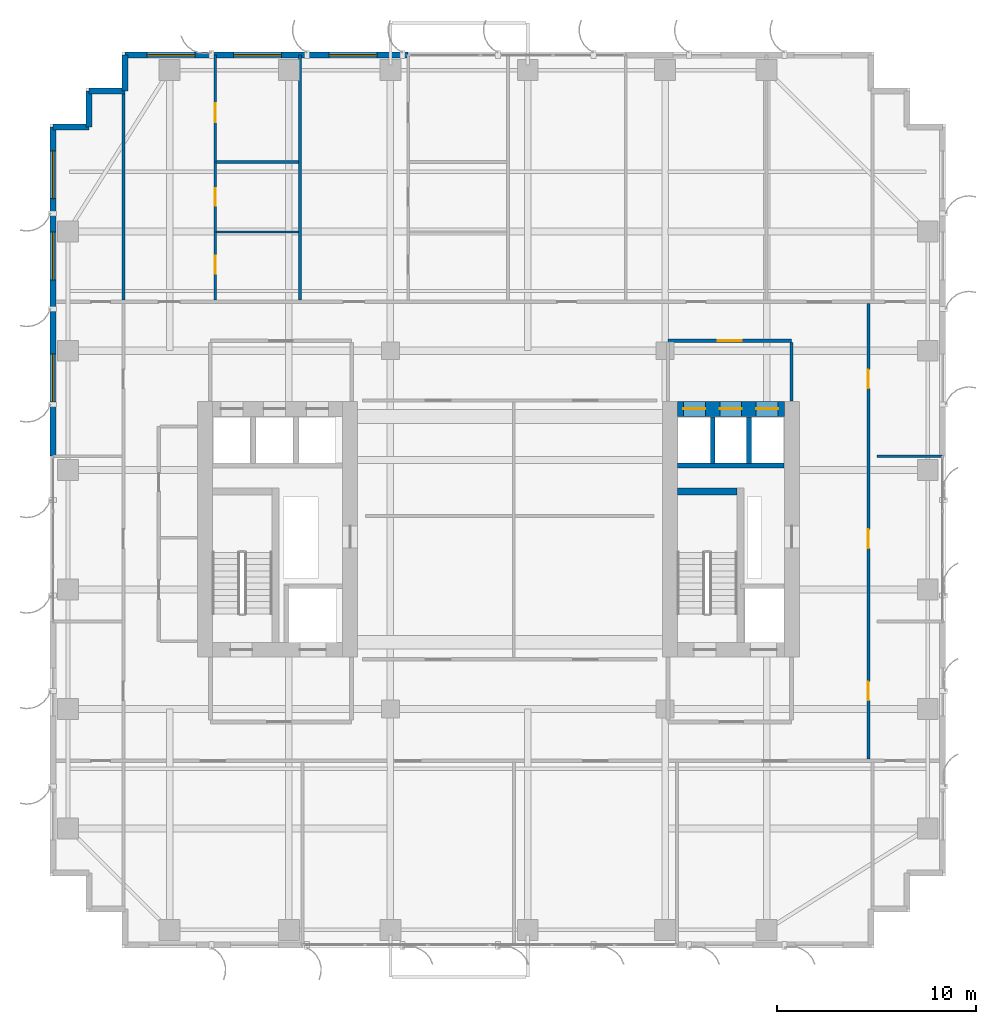
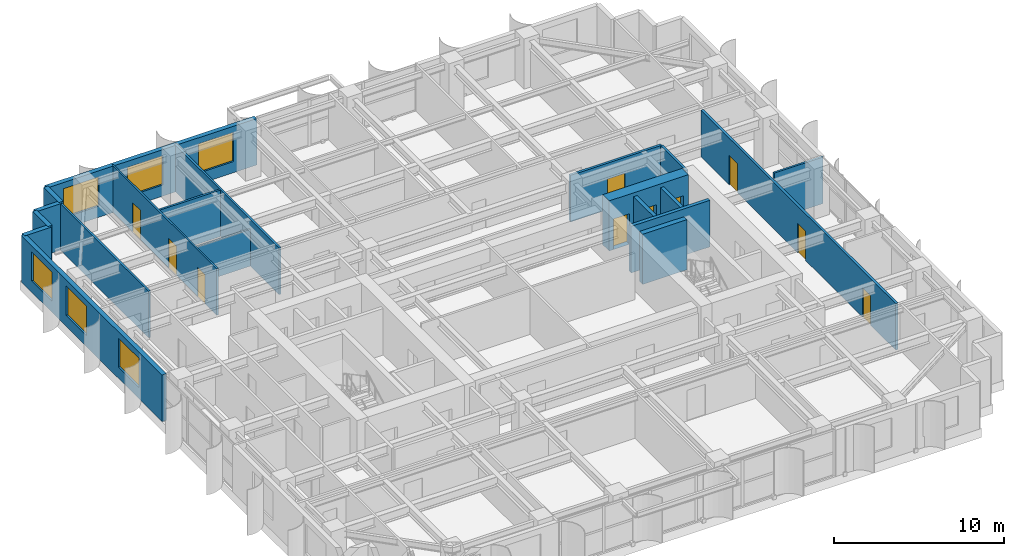
# One storey, part 19 of 23: 20 walls, 10 doors, 6 windows, 16 openings.
"""IFC4 building model written with IfcOpenShell, lengths in metres."""

from ifc_helpers import new_model, si_unit, direction, frame, frame_2d, origin, place, context, subcontext, project, spatial, rectangle, extrude, source, transform, mapped, material, layer, layer_set, type_object, element, fill, save


model = new_model("IFC4")

# Units and contexts
model_context = context("Model", 3, precision=1e-05, world=origin(), true_north=direction((0.0, 1.0)))
body_context = subcontext(model_context, "Body", "Model", "MODEL_VIEW")
ifc_project = project(units=[si_unit("LENGTHUNIT", "METRE"), si_unit("AREAUNIT", "SQUARE_METRE"), si_unit("VOLUMEUNIT", "CUBIC_METRE"), si_unit("PLANEANGLEUNIT", "RADIAN"), si_unit("MASSUNIT", "GRAM", prefix="KILO")], contexts=[model_context])

# Site, building, storey
site_placement = place(None, origin())
site = spatial("IfcSite", under=ifc_project, at=site_placement, CompositionType="ELEMENT")
building_placement = place(site_placement, origin())
building = spatial("IfcBuilding", under=site, at=building_placement, Name="Khoralis Quay Care Tower", CompositionType="ELEMENT")
storey_placement = place(building_placement, frame((0.0, 0.0, 83.699951171875)))
storey = spatial("IfcBuildingStorey", under=building, at=storey_placement, Name="L21", CompositionType="ELEMENT", Elevation=83.699951171875)

# Wall, openings, doors
ifc_material_1 = material(Name="Concrete C80/95", Category="concrete")
ifc_layer_1 = layer(ifc_material_1, 0.75)
ifc_layer_set_1 = layer_set([ifc_layer_1], Name="Concrete C80/95")
wall_type_1 = type_object("IfcWallType", Name="WL-CORE-750", PredefinedType="SHEAR", material=ifc_layer_set_1)
wall_1_placement = place(storey_placement, frame((31.52001953125, 27.074951171875, 0.0), z_axis=(0.0, 0.0, 1.0), x_axis=(1.0, 0.0, 0.0)))
wall_1 = element("IfcWall", 1, at=wall_1_placement, inside=storey, type_object=wall_type_1, Name="L21 ECORE North Shear Wall", PredefinedType="SHEAR", context=body_context, shape_type="SweptSolid", body=[
    extrude(rectangle(XDim=5.3798828125, YDim=0.75, at=frame_2d((2.68994140625, 0.0))), origin(), (0.0, 0.0, 1.0), 3.60009765625),
])
opening_1_placement = place(wall_1_placement, frame((0.300048828125, 0.0, 0.0)))
opening_1 = element("IfcOpeningElement", 2, at=opening_1_placement, cuts=wall_1, Name="Opening LD1", PredefinedType="OPENING", context=body_context, shape_type="SweptSolid", body=[
    extrude(rectangle(XDim=1.10009765625, YDim=2.199951171875, at=frame_2d((0.550048828125, 1.10009765625))), frame((0.0, 0.385009765625, 0.0), z_axis=(0.0, -1.0, 0.0), x_axis=(1.0, 0.0, 0.0)), (0.0, 0.0, 1.0), 0.77001953125),
])
opening_2_placement = place(wall_1_placement, frame((2.1298828125, 0.0, 0.0)))
opening_2 = element("IfcOpeningElement", 3, at=opening_2_placement, cuts=wall_1, Name="Opening LD1", PredefinedType="OPENING", context=body_context, shape_type="SweptSolid", body=[
    extrude(rectangle(XDim=1.10009765625, YDim=2.199951171875, at=frame_2d((0.550048828125, 1.10009765625))), frame((0.0, 0.385009765625, 0.0), z_axis=(0.0, -1.0, 0.0), x_axis=(1.0, 0.0, 0.0)), (0.0, 0.0, 1.0), 0.77001953125),
])
opening_3_placement = place(wall_1_placement, frame((3.9599609375, 0.0, 0.0)))
opening_3 = element("IfcOpeningElement", 4, at=opening_3_placement, cuts=wall_1, Name="Opening LD1", PredefinedType="OPENING", context=body_context, shape_type="SweptSolid", body=[
    extrude(rectangle(XDim=1.10009765625, YDim=2.199951171875, at=frame_2d((0.550048828125, 1.10009765625))), frame((0.0, 0.385009765625, 0.0), z_axis=(0.0, -1.0, 0.0), x_axis=(1.0, 0.0, 0.0)), (0.0, 0.0, 1.0), 0.77001953125),
])
ifc_material_2 = material(Name="Brushed stainless steel", Category="steel")
door_type_1 = type_object("IfcDoorType", Name="DR-LIFT-1100X2200", OperationType="SLIDING_TO_LEFT", PredefinedType="DOOR", material=ifc_material_2)
shared_shape_1 = source(origin(), body_context, "Body", "SweptSolid", [
    extrude(rectangle(XDim=1.10009765625, YDim=2.199951171875, at=frame_2d((0.550048828125, 1.10009765625))), frame((0.0, 0.02490234375, 0.0), z_axis=(0.0, -1.0, 0.0), x_axis=(1.0, 0.0, 0.0)), (0.0, 0.0, 1.0), 0.050048828125),
])
door_1_placement = place(opening_1_placement, origin())
door_1 = element("IfcDoor", 5, at=door_1_placement, inside=storey, type_object=door_type_1, Name="L21 Lift PLL2 Landing Door", OperationType="SLIDING_TO_LEFT", OverallHeight=2.199951171875, OverallWidth=1.10009765625, PredefinedType="DOOR", context=body_context, shape_type="MappedRepresentation", body=[
    mapped(shared_shape_1, transform((0.0, 0.0, 0.0), scale=1.0)),
])
fill(opening_1, door_1)
door_2_placement = place(opening_2_placement, origin())
door_2 = element("IfcDoor", 6, at=door_2_placement, inside=storey, type_object=door_type_1, Name="L21 Lift PLM2 Landing Door", OperationType="SLIDING_TO_LEFT", OverallHeight=2.199951171875, OverallWidth=1.10009765625, PredefinedType="DOOR", context=body_context, shape_type="MappedRepresentation", body=[
    mapped(shared_shape_1, transform((0.0, 0.0, 0.0), scale=1.0)),
])
fill(opening_2, door_2)
door_3_placement = place(opening_3_placement, origin())
door_3 = element("IfcDoor", 7, at=door_3_placement, inside=storey, type_object=door_type_1, Name="L21 Lift PLH2 Landing Door", OperationType="SLIDING_TO_LEFT", OverallHeight=2.199951171875, OverallWidth=1.10009765625, PredefinedType="DOOR", context=body_context, shape_type="MappedRepresentation", body=[
    mapped(shared_shape_1, transform((0.0, 0.0, 0.0), scale=1.0)),
])
fill(opening_3, door_3)

# Wall, opening, door
ifc_material_3 = material(Name="Gypsum plasterboard on acoustic metal stud")
ifc_layer_2 = layer(ifc_material_3, 0.1650390625)
ifc_layer_set_2 = layer_set([ifc_layer_2], Name="Gypsum plasterboard on acoustic metal stud")
wall_type_2 = type_object("IfcWallType", Name="WL-CORR-165", PredefinedType="PARTITIONING", material=ifc_layer_set_2)
wall_2_placement = place(storey_placement, frame((31.050048828125, 30.5, 0.0), z_axis=(0.0, 0.0, 1.0), x_axis=(1.0, 0.0, 0.0)))
wall_2 = element("IfcWall", 8, at=wall_2_placement, inside=storey, type_object=wall_type_2, Name="L21 East Lift Lobby North Wall", PredefinedType="PARTITIONING", context=body_context, shape_type="SweptSolid", body=[
    extrude(rectangle(XDim=6.199951171875, YDim=0.1650390625, at=frame_2d((3.10009765625, 0.0))), origin(), (0.0, 0.0, 1.0), 3.340087890625),
])
opening_4_placement = place(wall_2_placement, frame((2.5, 0.0, 0.0)))
opening_4 = element("IfcOpeningElement", 9, at=opening_4_placement, cuts=wall_2, Name="Opening FD1", PredefinedType="OPENING", context=body_context, shape_type="SweptSolid", body=[
    extrude(rectangle(XDim=1.199951171875, YDim=2.199951171875, at=frame_2d((0.60009765625, 1.10009765625))), frame((0.0, 0.092529296875, 0.0), z_axis=(0.0, -1.0, 0.0), x_axis=(1.0, 0.0, 0.0)), (0.0, 0.0, 1.0), 0.18505859375),
])
ifc_material_4 = material(Name="Fire-rated painted steel", Category="steel")
door_type_2 = type_object("IfcDoorType", Name="DR-FFL-1200X2200", OperationType="NOTDEFINED", PredefinedType="DOOR", material=ifc_material_4)
shared_shape_2 = source(origin(), body_context, "Body", "SweptSolid", [
    extrude(rectangle(XDim=1.199951171875, YDim=2.199951171875, at=frame_2d((0.60009765625, 1.10009765625))), frame((0.0, 0.02490234375, 0.0), z_axis=(0.0, -1.0, 0.0), x_axis=(1.0, 0.0, 0.0)), (0.0, 0.0, 1.0), 0.050048828125),
])
door_4_placement = place(opening_4_placement, origin())
door_4 = element("IfcDoor", 10, at=door_4_placement, inside=storey, type_object=door_type_2, Name="L21 East Lift Lobby Double Door", OperationType="DOUBLE_DOOR_SINGLE_SWING", OverallHeight=2.199951171875, OverallWidth=1.199951171875, PredefinedType="DOOR", context=body_context, shape_type="MappedRepresentation", body=[
    mapped(shared_shape_2, transform((0.0, 0.0, 0.0), scale=1.0)),
])
fill(opening_4, door_4)

# Wall
wall_3_placement = place(storey_placement, frame((37.25, 27.469970703125, 0.0), z_axis=(0.0, 0.0, 1.0), x_axis=(0.0, 1.0, 0.0)))
element("IfcWall", 11, at=wall_3_placement, inside=storey, type_object=wall_type_2, Name="L21 East Lift Lobby East Wall", PredefinedType="PARTITIONING", context=body_context, shape_type="SweptSolid", body=[
    extrude(rectangle(XDim=2.95263671875, YDim=0.1650390625, at=frame_2d((1.476318359375, 0.0))), origin(), (0.0, 0.0, 1.0), 3.340087890625),
])

# Wall, openings, doors
wall_4_placement = place(storey_placement, frame((41.1201171875, 9.4775390625, 0.0), z_axis=(0.0, 0.0, 1.0), x_axis=(0.0, 1.0, 0.0)))
wall_4 = element("IfcWall", 12, at=wall_4_placement, inside=storey, type_object=wall_type_2, Name="L21 East Loop Corridor Wall", PredefinedType="PARTITIONING", context=body_context, shape_type="SweptSolid", body=[
    extrude(rectangle(XDim=22.905029296875, YDim=0.1650390625, at=frame_2d((11.45263671875, 0.0))), origin(), (0.0, 0.0, 1.0), 3.340087890625),
])
opening_5_placement = place(wall_4_placement, frame((2.947509765625, 0.0, 0.0)))
opening_5 = element("IfcOpeningElement", 13, at=opening_5_placement, cuts=wall_4, Name="Opening ID1", PredefinedType="OPENING", context=body_context, shape_type="SweptSolid", body=[
    extrude(rectangle(XDim=0.949951171875, YDim=2.10009765625, at=frame_2d((0.47509765625, 1.050048828125))), frame((0.0, 0.092529296875, 0.0), z_axis=(0.0, -1.0, 0.0), x_axis=(1.0, 0.0, 0.0)), (0.0, 0.0, 1.0), 0.18505859375),
])
opening_6_placement = place(wall_4_placement, frame((10.597412109375, 0.0, 0.0)))
opening_6 = element("IfcOpeningElement", 14, at=opening_6_placement, cuts=wall_4, Name="Opening ID1", PredefinedType="OPENING", context=body_context, shape_type="SweptSolid", body=[
    extrude(rectangle(XDim=0.949951171875, YDim=2.10009765625, at=frame_2d((0.47509765625, 1.050048828125))), frame((0.0, 0.092529296875, 0.0), z_axis=(0.0, -1.0, 0.0), x_axis=(1.0, 0.0, 0.0)), (0.0, 0.0, 1.0), 0.18505859375),
])
opening_7_placement = place(wall_4_placement, frame((18.62744140625, 0.0, 0.0)))
opening_7 = element("IfcOpeningElement", 15, at=opening_7_placement, cuts=wall_4, Name="Opening ID1", PredefinedType="OPENING", context=body_context, shape_type="SweptSolid", body=[
    extrude(rectangle(XDim=0.949951171875, YDim=2.10009765625, at=frame_2d((0.47509765625, 1.050048828125))), frame((0.0, 0.092529296875, 0.0), z_axis=(0.0, -1.0, 0.0), x_axis=(1.0, 0.0, 0.0)), (0.0, 0.0, 1.0), 0.18505859375),
])
ifc_material_5 = material(Name="Acoustic hardwood timber", Category="wood")
door_type_3 = type_object("IfcDoorType", Name="DR-ROOM-950X2100", OperationType="NOTDEFINED", PredefinedType="DOOR", material=ifc_material_5)
shared_shape_3 = source(origin(), body_context, "Body", "SweptSolid", [
    extrude(rectangle(XDim=0.949951171875, YDim=2.10009765625, at=frame_2d((0.47509765625, 1.050048828125))), frame((0.0, 0.02490234375, 0.0), z_axis=(0.0, -1.0, 0.0), x_axis=(1.0, 0.0, 0.0)), (0.0, 0.0, 1.0), 0.050048828125),
])
door_5_placement = place(opening_5_placement, frame((0.949951171875, 0.0, 0.0), z_axis=(0.0, 0.0, 1.0), x_axis=(-1.0, 0.0, 0.0)))
door_5 = element("IfcDoor", 16, at=door_5_placement, inside=storey, type_object=door_type_3, Name="L21 Therapy Consultation Room Door", OperationType="SINGLE_SWING_LEFT", OverallHeight=2.10009765625, OverallWidth=0.949951171875, PredefinedType="DOOR", context=body_context, shape_type="MappedRepresentation", body=[
    mapped(shared_shape_3, transform((0.0, 0.0, 0.0), scale=1.0)),
])
fill(opening_5, door_5)
door_6_placement = place(opening_6_placement, frame((0.949951171875, 0.0, 0.0), z_axis=(0.0, 0.0, 1.0), x_axis=(-1.0, 0.0, 0.0)))
door_6 = element("IfcDoor", 17, at=door_6_placement, inside=storey, type_object=door_type_3, Name="L21 Assisted Activity Lounge Door", OperationType="SINGLE_SWING_RIGHT", OverallHeight=2.10009765625, OverallWidth=0.949951171875, PredefinedType="DOOR", context=body_context, shape_type="MappedRepresentation", body=[
    mapped(shared_shape_3, transform((0.0, 0.0, 0.0), scale=1.0)),
])
fill(opening_6, door_6)
door_7_placement = place(opening_7_placement, frame((0.949951171875, 0.0, 0.0), z_axis=(0.0, 0.0, 1.0), x_axis=(-1.0, 0.0, 0.0)))
door_7 = element("IfcDoor", 18, at=door_7_placement, inside=storey, type_object=door_type_3, Name="L21 Nurse Charting Office Door", OperationType="SINGLE_SWING_LEFT", OverallHeight=2.10009765625, OverallWidth=0.949951171875, PredefinedType="DOOR", context=body_context, shape_type="MappedRepresentation", body=[
    mapped(shared_shape_3, transform((0.0, 0.0, 0.0), scale=1.0)),
])
fill(opening_7, door_7)

# Wall, openings, windows
ifc_material_6 = material(Name="Precast concrete C45/55", Category="concrete")
ifc_layer_3 = layer(ifc_material_6, 0.300048828125)
ifc_layer_set_3 = layer_set([ifc_layer_3], Name="Precast concrete C45/55")
wall_type_3 = type_object("IfcWallType", Name="WL-EXT-REF-300", PredefinedType="SOLIDWALL", material=ifc_layer_set_3)
wall_5_placement = place(storey_placement, frame((17.989013671875, 44.85009765625, 0.0), z_axis=(0.0, 0.0, 1.0), x_axis=(-1.0, 0.0, 0.0)))
wall_5 = element("IfcWall", 19, at=wall_5_placement, inside=storey, type_object=wall_type_3, Name="L21 External Facade Wall WL-EXT-L21-P1-E10B", PredefinedType="SOLIDWALL", context=body_context, shape_type="SweptSolid", body=[
    extrude(rectangle(XDim=14.239013671875, YDim=0.300048828125, at=frame_2d((7.11962890625, 0.0))), origin(), (0.0, 0.0, 1.0), 3.340087890625),
])
opening_8_placement = place(wall_5_placement, frame((1.569580078125, 0.0, 0.800048828125)))
opening_8 = element("IfcOpeningElement", 20, at=opening_8_placement, cuts=wall_5, Name="Opening W1", PredefinedType="OPENING", context=body_context, shape_type="SweptSolid", body=[
    extrude(rectangle(XDim=2.39990234375, YDim=2.10009765625, at=frame_2d((1.199951171875, 1.050048828125))), frame((0.0, 0.16015625, 0.0), z_axis=(0.0, -1.0, 0.0), x_axis=(1.0, 0.0, 0.0)), (0.0, 0.0, 1.0), 0.320068359375),
])
opening_9_placement = place(wall_5_placement, frame((6.367919921875, 0.0, 0.800048828125)))
opening_9 = element("IfcOpeningElement", 21, at=opening_9_placement, cuts=wall_5, Name="Opening W1", PredefinedType="OPENING", context=body_context, shape_type="SweptSolid", body=[
    extrude(rectangle(XDim=2.39990234375, YDim=2.10009765625, at=frame_2d((1.199951171875, 1.050048828125))), frame((0.0, 0.16015625, 0.0), z_axis=(0.0, -1.0, 0.0), x_axis=(1.0, 0.0, 0.0)), (0.0, 0.0, 1.0), 0.320068359375),
])
opening_10_placement = place(wall_5_placement, frame((10.718017578125, 0.0, 0.800048828125)))
opening_10 = element("IfcOpeningElement", 22, at=opening_10_placement, cuts=wall_5, Name="Opening W1", PredefinedType="OPENING", context=body_context, shape_type="SweptSolid", body=[
    extrude(rectangle(XDim=2.39990234375, YDim=2.10009765625, at=frame_2d((1.199951171875, 1.050048828125))), frame((0.0, 0.16015625, 0.0), z_axis=(0.0, -1.0, 0.0), x_axis=(1.0, 0.0, 0.0)), (0.0, 0.0, 1.0), 0.320068359375),
])
ifc_material_7 = material(Name="Low-E solar-control double glazing", Category="glass")
window_type = type_object("IfcWindowType", Name="WN-POD-2400X2100", PartitioningType="SINGLE_PANEL", PredefinedType="WINDOW", material=ifc_material_7)
shared_shape_4 = source(origin(), body_context, "Body", "SweptSolid", [
    extrude(rectangle(XDim=2.39990234375, YDim=2.10009765625, at=frame_2d((1.199951171875, 1.050048828125))), frame((0.0, 0.030029296875, 0.0), z_axis=(0.0, -1.0, 0.0), x_axis=(1.0, 0.0, 0.0)), (0.0, 0.0, 1.0), 0.06005859375),
])
window_1_placement = place(opening_8_placement, origin())
window_1 = element("IfcWindow", 23, at=window_1_placement, inside=storey, type_object=window_type, Name="WN-L21-P1-E10B Facade Window 01", OverallHeight=2.10009765625, OverallWidth=2.39990234375, PartitioningType="SINGLE_PANEL", PredefinedType="WINDOW", context=body_context, shape_type="MappedRepresentation", body=[
    mapped(shared_shape_4, transform((0.0, 0.0, 0.0), scale=1.0)),
])
fill(opening_8, window_1)
window_2_placement = place(opening_9_placement, origin())
window_2 = element("IfcWindow", 24, at=window_2_placement, inside=storey, type_object=window_type, Name="WN-L21-P1-E10B Facade Window 02", OverallHeight=2.10009765625, OverallWidth=2.39990234375, PartitioningType="SINGLE_PANEL", PredefinedType="WINDOW", context=body_context, shape_type="MappedRepresentation", body=[
    mapped(shared_shape_4, transform((0.0, 0.0, 0.0), scale=1.0)),
])
fill(opening_9, window_2)
window_3_placement = place(opening_10_placement, origin())
window_3 = element("IfcWindow", 25, at=window_3_placement, inside=storey, type_object=window_type, Name="WN-L21-P1-E10B Facade Window 03", OverallHeight=2.10009765625, OverallWidth=2.39990234375, PartitioningType="SINGLE_PANEL", PredefinedType="WINDOW", context=body_context, shape_type="MappedRepresentation", body=[
    mapped(shared_shape_4, transform((0.0, 0.0, 0.0), scale=1.0)),
])
fill(opening_10, window_3)

# Walls
for number, where, z_axis, x_axis, name in (
    (26, (3.75, 44.85009765625, 0.0), (0.0, 0.0, 1.0), (0.0, -1.0, 0.0), "L21 External Facade Wall WL-EXT-L21-P1-C11"),
    (27, (3.75, 43.050048828125, 0.0), (0.0, 0.0, 1.0), (-1.0, 0.0, 0.0), "L21 External Facade Wall WL-EXT-L21-P1-C12"),
    (28, (1.949951171875, 43.050048828125, 0.0), (0.0, 0.0, 1.0), (0.0, -1.0, 0.0), "L21 External Facade Wall WL-EXT-L21-P1-C13"),
    (29, (1.949951171875, 41.25, 0.0), (0.0, 0.0, 1.0), (-1.0, 0.0, 0.0), "L21 External Facade Wall WL-EXT-L21-P1-C14"),
):
    element("IfcWall", number, at=place(storey_placement, frame(where, z_axis=z_axis, x_axis=x_axis)), inside=storey, type_object=wall_type_3, Name=name, PredefinedType="SOLIDWALL", context=body_context, shape_type="SweptSolid", body=[
        extrude(rectangle(XDim=1.800048828125, YDim=0.300048828125, at=frame_2d((0.89990234375, 0.0))), origin(), (0.0, 0.0, 1.0), 3.340087890625),
    ])

# Wall, openings, windows
wall_6_placement = place(storey_placement, frame((0.14990234375, 41.25, 0.0), z_axis=(0.0, 0.0, 1.0), x_axis=(0.0, -1.0, 0.0)))
wall_6 = element("IfcWall", 30, at=wall_6_placement, inside=storey, type_object=wall_type_3, Name="L21 External Facade Wall WL-EXT-L21-P1-E15A", PredefinedType="SOLIDWALL", context=body_context, shape_type="SweptSolid", body=[
    extrude(rectangle(XDim=16.550048828125, YDim=0.300048828125, at=frame_2d((8.27490234375, 0.0))), origin(), (0.0, 0.0, 1.0), 3.340087890625),
])
opening_11_placement = place(wall_6_placement, frame((1.202392578125, 0.0, 0.800048828125)))
opening_11 = element("IfcOpeningElement", 31, at=opening_11_placement, cuts=wall_6, Name="Opening W1", PredefinedType="OPENING", context=body_context, shape_type="SweptSolid", body=[
    extrude(rectangle(XDim=2.39990234375, YDim=2.10009765625, at=frame_2d((1.199951171875, 1.050048828125))), frame((0.0, 0.16015625, 0.0), z_axis=(0.0, -1.0, 0.0), x_axis=(1.0, 0.0, 0.0)), (0.0, 0.0, 1.0), 0.320068359375),
])
opening_12_placement = place(wall_6_placement, frame((5.28759765625, 0.0, 0.800048828125)))
opening_12 = element("IfcOpeningElement", 32, at=opening_12_placement, cuts=wall_6, Name="Opening W1", PredefinedType="OPENING", context=body_context, shape_type="SweptSolid", body=[
    extrude(rectangle(XDim=2.39990234375, YDim=2.10009765625, at=frame_2d((1.199951171875, 1.050048828125))), frame((0.0, 0.16015625, 0.0), z_axis=(0.0, -1.0, 0.0), x_axis=(1.0, 0.0, 0.0)), (0.0, 0.0, 1.0), 0.320068359375),
])
opening_13_placement = place(wall_6_placement, frame((11.419921875, 0.0, 0.800048828125)))
opening_13 = element("IfcOpeningElement", 33, at=opening_13_placement, cuts=wall_6, Name="Opening W1", PredefinedType="OPENING", context=body_context, shape_type="SweptSolid", body=[
    extrude(rectangle(XDim=2.39990234375, YDim=2.10009765625, at=frame_2d((1.199951171875, 1.050048828125))), frame((0.0, 0.16015625, 0.0), z_axis=(0.0, -1.0, 0.0), x_axis=(1.0, 0.0, 0.0)), (0.0, 0.0, 1.0), 0.320068359375),
])
window_4_placement = place(opening_11_placement, origin())
window_4 = element("IfcWindow", 34, at=window_4_placement, inside=storey, type_object=window_type, Name="WN-L21-P1-E15A Facade Window 01", OverallHeight=2.10009765625, OverallWidth=2.39990234375, PartitioningType="SINGLE_PANEL", PredefinedType="WINDOW", context=body_context, shape_type="MappedRepresentation", body=[
    mapped(shared_shape_4, transform((0.0, 0.0, 0.0), scale=1.0)),
])
fill(opening_11, window_4)
window_5_placement = place(opening_12_placement, origin())
window_5 = element("IfcWindow", 35, at=window_5_placement, inside=storey, type_object=window_type, Name="WN-L21-P1-E15A Facade Window 02", OverallHeight=2.10009765625, OverallWidth=2.39990234375, PartitioningType="SINGLE_PANEL", PredefinedType="WINDOW", context=body_context, shape_type="MappedRepresentation", body=[
    mapped(shared_shape_4, transform((0.0, 0.0, 0.0), scale=1.0)),
])
fill(opening_12, window_5)
window_6_placement = place(opening_13_placement, origin())
window_6 = element("IfcWindow", 36, at=window_6_placement, inside=storey, type_object=window_type, Name="WN-L21-P1-E15A Facade Window 03", OverallHeight=2.10009765625, OverallWidth=2.39990234375, PartitioningType="SINGLE_PANEL", PredefinedType="WINDOW", context=body_context, shape_type="MappedRepresentation", body=[
    mapped(shared_shape_4, transform((0.0, 0.0, 0.0), scale=1.0)),
])
fill(opening_13, window_6)

# Wall, openings, doors
ifc_layer_4 = layer(ifc_material_3, 0.114990234375)
ifc_layer_set_4 = layer_set([ifc_layer_4], Name="Gypsum plasterboard on acoustic metal stud")
wall_type_4 = type_object("IfcWallType", Name="WL-PART-115", PredefinedType="PARTITIONING", material=ifc_layer_set_4)
wall_7_placement = place(storey_placement, frame((8.2919921875, 32.53759765625, 0.0), z_axis=(0.0, 0.0, 1.0), x_axis=(0.0, 1.0, 0.0)))
wall_7 = element("IfcWall", 37, at=wall_7_placement, inside=storey, type_object=wall_type_4, Name="L21 Unit 0 Internal Wall", PredefinedType="PARTITIONING", context=body_context, shape_type="SweptSolid", body=[
    extrude(rectangle(XDim=12.3173828125, YDim=0.114990234375, at=frame_2d((6.15869140625, 0.0))), origin(), (0.0, 0.0, 1.0), 3.340087890625),
])
opening_14_placement = place(wall_7_placement, frame((8.95361328125, 0.0, 0.0)))
opening_14 = element("IfcOpeningElement", 38, at=opening_14_placement, cuts=wall_7, Name="Opening ID1", PredefinedType="OPENING", context=body_context, shape_type="SweptSolid", body=[
    extrude(rectangle(XDim=0.949951171875, YDim=2.10009765625, at=frame_2d((0.47509765625, 1.050048828125))), frame((0.0, 0.0673828125, 0.0), z_axis=(0.0, -1.0, 0.0), x_axis=(1.0, 0.0, 0.0)), (0.0, 0.0, 1.0), 0.135009765625),
])
opening_15_placement = place(wall_7_placement, frame((4.739013671875, 0.0, 0.0)))
opening_15 = element("IfcOpeningElement", 39, at=opening_15_placement, cuts=wall_7, Name="Opening WD1", PredefinedType="OPENING", context=body_context, shape_type="SweptSolid", body=[
    extrude(rectangle(XDim=0.89990234375, YDim=2.10009765625, at=frame_2d((0.449951171875, 1.050048828125))), frame((0.0, 0.0673828125, 0.0), z_axis=(0.0, -1.0, 0.0), x_axis=(1.0, 0.0, 0.0)), (0.0, 0.0, 1.0), 0.135009765625),
])
opening_16_placement = place(wall_7_placement, frame((1.343017578125, 0.0, 0.0)))
opening_16 = element("IfcOpeningElement", 40, at=opening_16_placement, cuts=wall_7, Name="Opening WD1", PredefinedType="OPENING", context=body_context, shape_type="SweptSolid", body=[
    extrude(rectangle(XDim=0.89990234375, YDim=2.10009765625, at=frame_2d((0.449951171875, 1.050048828125))), frame((0.0, 0.0673828125, 0.0), z_axis=(0.0, -1.0, 0.0), x_axis=(1.0, 0.0, 0.0)), (0.0, 0.0, 1.0), 0.135009765625),
])
door_type_4 = type_object("IfcDoorType", Name="DR-BATH-900X2100", OperationType="NOTDEFINED", PredefinedType="DOOR", material=ifc_material_5)
shared_shape_5 = source(origin(), body_context, "Body", "SweptSolid", [
    extrude(rectangle(XDim=0.89990234375, YDim=2.10009765625, at=frame_2d((0.449951171875, 1.050048828125))), frame((0.0, 0.02490234375, 0.0), z_axis=(0.0, -1.0, 0.0), x_axis=(1.0, 0.0, 0.0)), (0.0, 0.0, 1.0), 0.050048828125),
])
door_8_placement = place(opening_15_placement, frame((0.89990234375, 0.0, 0.0), z_axis=(0.0, 0.0, 1.0), x_axis=(-1.0, 0.0, 0.0)))
door_8 = element("IfcDoor", 41, at=door_8_placement, inside=storey, type_object=door_type_4, Name="L21 Apartment NB0 KIT Door", OperationType="SINGLE_SWING_LEFT", OverallHeight=2.10009765625, OverallWidth=0.89990234375, PredefinedType="DOOR", context=body_context, shape_type="MappedRepresentation", body=[
    mapped(shared_shape_5, transform((0.0, 0.0, 0.0), scale=1.0)),
])
fill(opening_15, door_8)
door_9_placement = place(opening_16_placement, frame((0.89990234375, 0.0, 0.0), z_axis=(0.0, 0.0, 1.0), x_axis=(-1.0, 0.0, 0.0)))
door_9 = element("IfcDoor", 42, at=door_9_placement, inside=storey, type_object=door_type_4, Name="L21 Apartment NB0 BTH Door", OperationType="SINGLE_SWING_RIGHT", OverallHeight=2.10009765625, OverallWidth=0.89990234375, PredefinedType="DOOR", context=body_context, shape_type="MappedRepresentation", body=[
    mapped(shared_shape_5, transform((0.0, 0.0, 0.0), scale=1.0)),
])
fill(opening_16, door_9)
door_10_placement = place(opening_14_placement, frame((0.949951171875, 0.0, 0.0), z_axis=(0.0, 0.0, 1.0), x_axis=(-1.0, 0.0, 0.0)))
door_10 = element("IfcDoor", 43, at=door_10_placement, inside=storey, type_object=door_type_3, Name="L21 Apartment NB0 BED Door", OperationType="SINGLE_SWING_RIGHT", OverallHeight=2.10009765625, OverallWidth=0.949951171875, PredefinedType="DOOR", context=body_context, shape_type="MappedRepresentation", body=[
    mapped(shared_shape_3, transform((0.0, 0.0, 0.0), scale=1.0)),
])
fill(opening_14, door_10)

# Walls
wall_8_placement = place(storey_placement, frame((8.344482421875, 35.970947265625, 0.0), z_axis=(0.0, 0.0, 1.0), x_axis=(1.0, 0.0, 0.0)))
element("IfcWall", 44, at=wall_8_placement, inside=storey, type_object=wall_type_4, Name="L21 Unit 0 Kitchen Wall", PredefinedType="PARTITIONING", context=body_context, shape_type="SweptSolid", body=[
    extrude(rectangle(XDim=4.140625, YDim=0.114990234375, at=frame_2d((2.0703125, 0.0))), origin(), (0.0, 0.0, 1.0), 2.64501953125),
])
ifc_material_8 = material(Name="Moisture-resistant gypsum and ceramic tile")
ifc_layer_5 = layer(ifc_material_8, 0.280029296875)
ifc_layer_set_5 = layer_set([ifc_layer_5], Name="Moisture-resistant gypsum and ceramic tile")
wall_type_5 = type_object("IfcWallType", Name="WL-PLUMB-280", PredefinedType="PLUMBINGWALL", material=ifc_layer_set_5)
wall_9_placement = place(storey_placement, frame((8.344482421875, 39.48193359375, 0.0), z_axis=(0.0, 0.0, 1.0), x_axis=(1.0, 0.0, 0.0)))
element("IfcWall", 45, at=wall_9_placement, inside=storey, type_object=wall_type_5, Name="L21 Unit 0 Wet Wall", PredefinedType="PLUMBINGWALL", context=body_context, shape_type="SweptSolid", body=[
    extrude(rectangle(XDim=4.140625, YDim=0.139892578125, at=frame_2d((2.0703125, 0.0))), origin(), (0.0, 0.0, 1.0), 3.340087890625),
])
ifc_material_9 = material(Name="Concrete C40/50", Category="concrete")
ifc_layer_6 = layer(ifc_material_9, 0.35009765625)
ifc_layer_set_6 = layer_set([ifc_layer_6], Name="Concrete C40/50")
wall_type_6 = type_object("IfcWallType", Name="WL-SC-CORE-350", PredefinedType="SHEAR", material=ifc_layer_set_6)
wall_10_placement = place(storey_placement, frame((31.52001953125, 22.925048828125, 0.0), z_axis=(0.0, 0.0, 1.0), x_axis=(1.0, 0.0, 0.0)))
element("IfcWall", 46, at=wall_10_placement, inside=storey, type_object=wall_type_6, Name="L21 Stair ST-T2 Shear Baffle Wall North", PredefinedType="SHEAR", context=body_context, shape_type="SweptSolid", body=[
    extrude(rectangle(XDim=3.0, YDim=0.35009765625, at=frame_2d((1.5, 0.0))), origin(), (0.0, 0.0, 1.0), 3.60009765625),
])
ifc_layer_7 = layer(ifc_material_3, 0.239990234375)
ifc_layer_set_7 = layer_set([ifc_layer_7], Name="Gypsum plasterboard on acoustic metal stud")
wall_type_7 = type_object("IfcWallType", Name="WL-SHAFT-240", PredefinedType="PARTITIONING", material=ifc_layer_set_7)
wall_11_placement = place(storey_placement, frame((31.52001953125, 24.22998046875, 0.0), z_axis=(0.0, 0.0, 1.0), x_axis=(1.0, 0.0, 0.0)))
element("IfcWall", 47, at=wall_11_placement, inside=storey, type_object=wall_type_7, Name="L21 East Passenger Shaft South Wall", PredefinedType="PARTITIONING", context=body_context, shape_type="SweptSolid", body=[
    extrude(rectangle(XDim=5.35986328125, YDim=0.239990234375, at=frame_2d((2.679931640625, 0.0))), origin(), (0.0, 0.0, 1.0), 3.340087890625),
])
for number, where, z_axis, x_axis, name in (
    (48, (33.2900390625, 24.344970703125, 0.0), (0.0, 0.0, 1.0), (0.0, 1.0, 0.0), "L21 East Shaft Divider 1"),
    (49, (35.110107421875, 24.344970703125, 0.0), (0.0, 0.0, 1.0), (0.0, 1.0, 0.0), "L21 East Shaft Divider 2"),
):
    element("IfcWall", number, at=place(storey_placement, frame(where, z_axis=z_axis, x_axis=x_axis)), inside=storey, type_object=wall_type_7, Name=name, PredefinedType="PARTITIONING", context=body_context, shape_type="SweptSolid", body=[
        extrude(rectangle(XDim=2.3349609375, YDim=0.239990234375, at=frame_2d((1.16748046875, 0.0))), origin(), (0.0, 0.0, 1.0), 3.340087890625),
    ])
ifc_layer_8 = layer(ifc_material_3, 0.139892578125)
ifc_layer_set_8 = layer_set([ifc_layer_8], Name="Gypsum plasterboard on acoustic metal stud")
wall_type_8 = type_object("IfcWallType", Name="WL-UNIT-140", PredefinedType="PARTITIONING", material=ifc_layer_set_8)
wall_12_placement = place(storey_placement, frame((41.5400390625, 24.699951171875, 0.0), z_axis=(0.0, 0.0, 1.0), x_axis=(1.0, 0.0, 0.0)))
element("IfcWall", 50, at=wall_12_placement, inside=storey, type_object=wall_type_8, Name="L21 EE Divider 2", PredefinedType="PARTITIONING", context=body_context, shape_type="SweptSolid", body=[
    extrude(rectangle(XDim=3.31494140625, YDim=0.139892578125, at=frame_2d((1.657470703125, 0.0))), origin(), (0.0, 0.0, 1.0), 3.340087890625),
])
wall_13_placement = place(storey_placement, frame((3.679931640625, 32.53759765625, 0.0), z_axis=(0.0, 0.0, 1.0), x_axis=(0.0, 1.0, 0.0)))
element("IfcWall", 51, at=wall_13_placement, inside=storey, type_object=wall_type_8, Name="L21 NB Demising Wall 0", PredefinedType="PARTITIONING", context=body_context, shape_type="SweptSolid", body=[
    extrude(rectangle(XDim=10.517333984375, YDim=0.139892578125, at=frame_2d((5.2587890625, 0.0))), origin(), (0.0, 0.0, 1.0), 3.340087890625),
])
wall_14_placement = place(storey_placement, frame((12.550048828125, 32.53759765625, 0.0), z_axis=(0.0, 0.0, 1.0), x_axis=(0.0, 1.0, 0.0)))
element("IfcWall", 52, at=wall_14_placement, inside=storey, type_object=wall_type_8, Name="L21 NB Demising Wall 1", PredefinedType="PARTITIONING", context=body_context, shape_type="SweptSolid", body=[
    extrude(rectangle(XDim=12.3173828125, YDim=0.139892578125, at=frame_2d((6.15869140625, 0.0))), origin(), (0.0, 0.0, 1.0), 3.340087890625),
])

save(model, "model.ifc")
